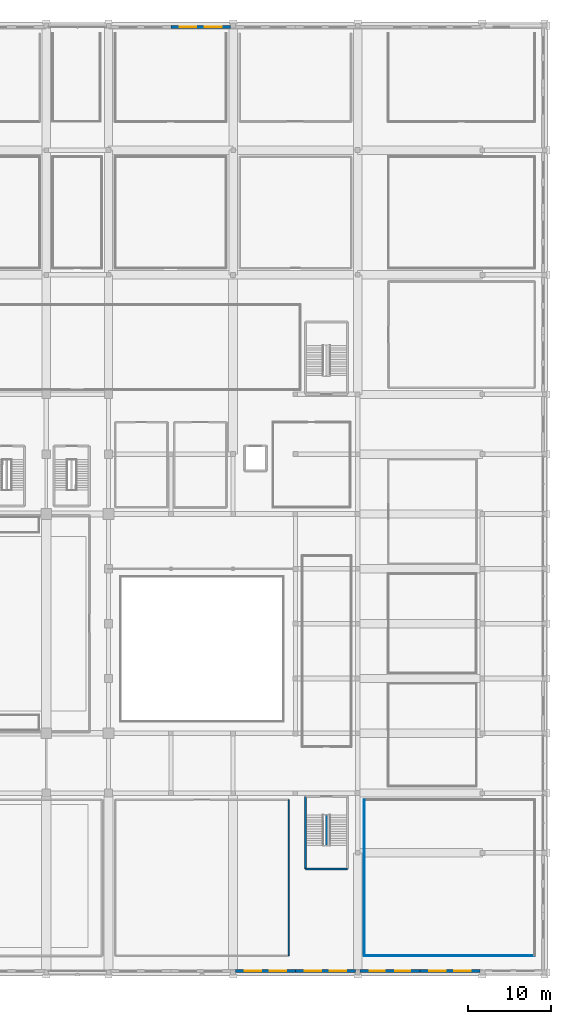
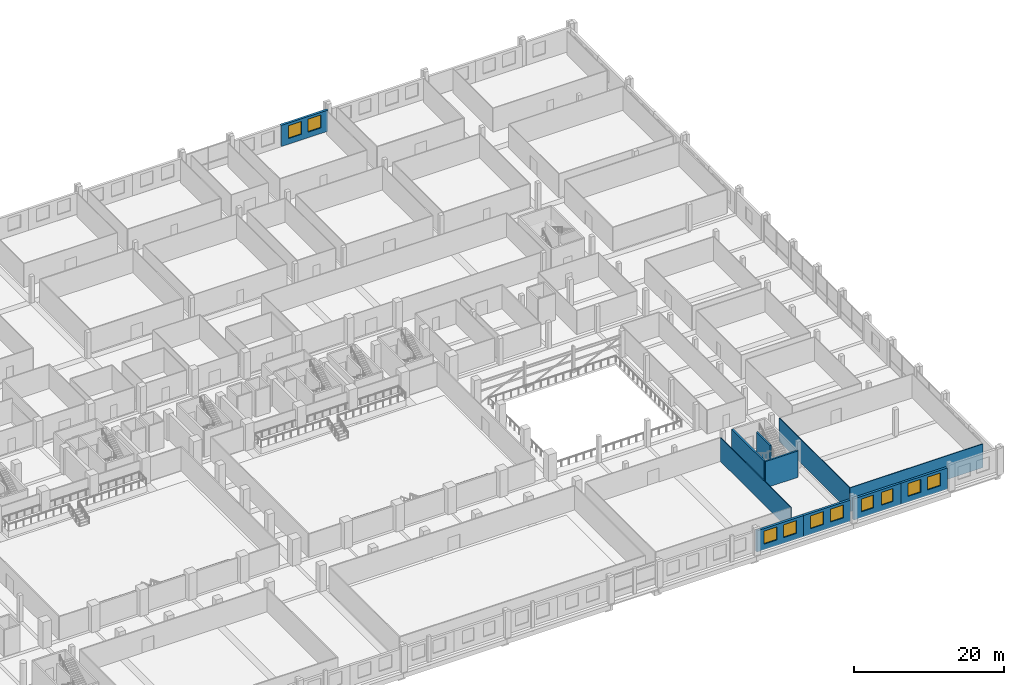
# One storey, part 52 of 68: 11 walls, 10 windows, 10 openings.
"""IFC4 building model written with IfcOpenShell, lengths in metres."""

from ifc_helpers import new_model, si_unit, direction, frame, frame_2d, origin, place, context, subcontext, project, spatial, rectangle, extrude, material, layer, layer_set, type_object, element, fill, save


model = new_model("IFC4")

# Units and contexts
model_context = context("Model", 3, precision=1e-05, world=origin(), true_north=direction((0.0, 1.0)))
body_context = subcontext(model_context, "Body", "Model", "MODEL_VIEW")
ifc_project = project(units=[si_unit("LENGTHUNIT", "METRE"), si_unit("AREAUNIT", "SQUARE_METRE"), si_unit("VOLUMEUNIT", "CUBIC_METRE"), si_unit("PLANEANGLEUNIT", "RADIAN"), si_unit("MASSUNIT", "GRAM", prefix="KILO")], contexts=[model_context])

# Site, building, storey
site_placement = place(None, origin())
site = spatial("IfcSite", under=ifc_project, at=site_placement, CompositionType="ELEMENT")
building_placement = place(site_placement, origin())
building = spatial("IfcBuilding", under=site, at=building_placement, Name="Akrevak Sports Hall", CompositionType="ELEMENT")
storey_placement = place(building_placement, frame((0.0, 0.0, 9.39990234375)))
storey = spatial("IfcBuildingStorey", under=building, at=storey_placement, Name="L02", CompositionType="ELEMENT", Elevation=9.39990234375)

# Wall, openings, windows
ifc_material_1 = material(Name="Limestone Ashlar", Category="stone")
ifc_layer_1 = layer(ifc_material_1, 0.080078125, Name="Limestone Ashlar")
ifc_material_2 = material(Name="Mineral Wool Thermal Insulation", Category="insulation")
ifc_layer_2 = layer(ifc_material_2, 0.10009765625, Name="Mineral Wool Thermal Insulation")
ifc_material_3 = material(Name="Concrete C40/50", Category="concrete")
ifc_layer_3 = layer(ifc_material_3, 0.179931640625, Name="Concrete C40/50")
ifc_layer_set_1 = layer_set([ifc_layer_1, ifc_layer_2, ifc_layer_3], Name="Limestone Ashlar / Mineral Wool Thermal Insulation / Concrete C40/50")
wall_type_1 = type_object("IfcWallType", Name="ARC-WL-EXT-360", PredefinedType="SOLIDWALL", material=ifc_layer_set_1)
wall_1_placement = place(storey_placement, frame((130.800048828125, 0.179931640625, 0.0), z_axis=(0.0, 0.0, 1.0), x_axis=(1.0, 0.0, 0.0)))
wall_1 = element("IfcWall", 1, at=wall_1_placement, inside=storey, type_object=wall_type_1, Name="Exterior Limestone Wall L02-S16", PredefinedType="SOLIDWALL", context=body_context, shape_type="SweptSolid", body=[
    extrude(rectangle(XDim=7.199951171875, YDim=0.360107421875, at=frame_2d((3.60009765625, 0.0))), origin(), (0.0, 0.0, 1.0), 3.4501953125),
])
opening_1_placement = place(wall_1_placement, frame((1.087890625, 0.0, 0.919921875)))
opening_1 = element("IfcOpeningElement", 2, at=opening_1_placement, cuts=wall_1, Name="Opening WN-36", PredefinedType="OPENING", context=body_context, shape_type="SweptSolid", body=[
    extrude(rectangle(XDim=2.0, YDim=2.10009765625, at=frame_2d((1.0, 1.050048828125))), frame((0.0, 0.19189453125, 0.0), z_axis=(0.0, -1.0, 0.0), x_axis=(1.0, 0.0, 0.0)), (0.0, 0.0, 1.0), 0.384033203125),
])
opening_2_placement = place(wall_1_placement, frame((4.112060546875, 0.0, 0.919921875)))
opening_2 = element("IfcOpeningElement", 3, at=opening_2_placement, cuts=wall_1, Name="Opening WN-36", PredefinedType="OPENING", context=body_context, shape_type="SweptSolid", body=[
    extrude(rectangle(XDim=2.0, YDim=2.10009765625, at=frame_2d((1.0, 1.050048828125))), frame((0.0, 0.19189453125, 0.0), z_axis=(0.0, -1.0, 0.0), x_axis=(1.0, 0.0, 0.0)), (0.0, 0.0, 1.0), 0.384033203125),
])
ifc_material_4 = material(Name="Thermally Broken Bronze Frame & Double Low-E Glass", Category="glass")
window_type_1 = type_object("IfcWindowType", Name="ARC-WIN-SZ-2000x2100", PartitioningType="SINGLE_PANEL", PredefinedType="WINDOW", material=ifc_material_4)
window_1_placement = place(opening_1_placement, origin())
window_1 = element("IfcWindow", 4, at=window_1_placement, inside=storey, type_object=window_type_1, Name="Beaux-Arts Facade Window WIN-L02-S16-1", OverallHeight=2.10009765625, OverallWidth=2.0, PartitioningType="SINGLE_PANEL", PredefinedType="WINDOW", context=body_context, shape_type="SweptSolid", body=[
    extrude(rectangle(XDim=2.0, YDim=2.10009765625, at=frame_2d((1.0, 1.050048828125))), frame((0.0, 0.030029296875, 0.0), z_axis=(0.0, -1.0, 0.0), x_axis=(1.0, 0.0, 0.0)), (0.0, 0.0, 1.0), 0.06005859375),
])
fill(opening_1, window_1)
window_2_placement = place(opening_2_placement, origin())
window_2 = element("IfcWindow", 5, at=window_2_placement, inside=storey, type_object=window_type_1, Name="Beaux-Arts Facade Window WIN-L02-S16-2", OverallHeight=2.10009765625, OverallWidth=2.0, PartitioningType="SINGLE_PANEL", PredefinedType="WINDOW", context=body_context, shape_type="SweptSolid", body=[
    extrude(rectangle(XDim=2.0, YDim=2.10009765625, at=frame_2d((1.0, 1.050048828125))), frame((0.0, 0.030029296875, 0.0), z_axis=(0.0, -1.0, 0.0), x_axis=(1.0, 0.0, 0.0)), (0.0, 0.0, 1.0), 0.06005859375),
])
fill(opening_2, window_2)

wall_2_placement = place(storey_placement, frame((138.0, 0.179931640625, 0.0), z_axis=(0.0, 0.0, 1.0), x_axis=(1.0, 0.0, 0.0)))
wall_2 = element("IfcWall", 6, at=wall_2_placement, inside=storey, type_object=wall_type_1, Name="Exterior Limestone Wall L02-S17", PredefinedType="SOLIDWALL", context=body_context, shape_type="SweptSolid", body=[
    extrude(rectangle(XDim=7.22509765625, YDim=0.360107421875, at=frame_2d((3.612548828125, 0.0))), origin(), (0.0, 0.0, 1.0), 3.4501953125),
])
opening_3_placement = place(wall_2_placement, frame((1.09521484375, 0.0, 0.919921875)))
opening_3 = element("IfcOpeningElement", 7, at=opening_3_placement, cuts=wall_2, Name="Opening WN-36", PredefinedType="OPENING", context=body_context, shape_type="SweptSolid", body=[
    extrude(rectangle(XDim=2.0, YDim=2.10009765625, at=frame_2d((1.0, 1.050048828125))), frame((0.0, 0.19189453125, 0.0), z_axis=(0.0, -1.0, 0.0), x_axis=(1.0, 0.0, 0.0)), (0.0, 0.0, 1.0), 0.384033203125),
])
opening_4_placement = place(wall_2_placement, frame((4.1298828125, 0.0, 0.919921875)))
opening_4 = element("IfcOpeningElement", 8, at=opening_4_placement, cuts=wall_2, Name="Opening WN-36", PredefinedType="OPENING", context=body_context, shape_type="SweptSolid", body=[
    extrude(rectangle(XDim=2.0, YDim=2.10009765625, at=frame_2d((1.0, 1.050048828125))), frame((0.0, 0.19189453125, 0.0), z_axis=(0.0, -1.0, 0.0), x_axis=(1.0, 0.0, 0.0)), (0.0, 0.0, 1.0), 0.384033203125),
])
window_3_placement = place(opening_3_placement, origin())
window_3 = element("IfcWindow", 9, at=window_3_placement, inside=storey, type_object=window_type_1, Name="Beaux-Arts Facade Window WIN-L02-S17-1", OverallHeight=2.10009765625, OverallWidth=2.0, PartitioningType="SINGLE_PANEL", PredefinedType="WINDOW", context=body_context, shape_type="SweptSolid", body=[
    extrude(rectangle(XDim=2.0, YDim=2.10009765625, at=frame_2d((1.0, 1.050048828125))), frame((0.0, 0.030029296875, 0.0), z_axis=(0.0, -1.0, 0.0), x_axis=(1.0, 0.0, 0.0)), (0.0, 0.0, 1.0), 0.06005859375),
])
fill(opening_3, window_3)
window_4_placement = place(opening_4_placement, origin())
window_4 = element("IfcWindow", 10, at=window_4_placement, inside=storey, type_object=window_type_1, Name="Beaux-Arts Facade Window WIN-L02-S17-2", OverallHeight=2.10009765625, OverallWidth=2.0, PartitioningType="SINGLE_PANEL", PredefinedType="WINDOW", context=body_context, shape_type="SweptSolid", body=[
    extrude(rectangle(XDim=2.0, YDim=2.10009765625, at=frame_2d((1.0, 1.050048828125))), frame((0.0, 0.030029296875, 0.0), z_axis=(0.0, -1.0, 0.0), x_axis=(1.0, 0.0, 0.0)), (0.0, 0.0, 1.0), 0.06005859375),
])
fill(opening_4, window_4)

wall_3_placement = place(storey_placement, frame((145.77490234375, 0.179931640625, 0.0), z_axis=(0.0, 0.0, 1.0), x_axis=(1.0, 0.0, 0.0)))
wall_3 = element("IfcWall", 11, at=wall_3_placement, inside=storey, type_object=wall_type_1, Name="Exterior Limestone Wall L02-S18", PredefinedType="SOLIDWALL", context=body_context, shape_type="SweptSolid", body=[
    extrude(rectangle(XDim=7.22509765625, YDim=0.360107421875, at=frame_2d((3.612548828125, 0.0))), origin(), (0.0, 0.0, 1.0), 3.4501953125),
])
opening_5_placement = place(wall_3_placement, frame((1.1953125, 0.0, 0.919921875)))
opening_5 = element("IfcOpeningElement", 12, at=opening_5_placement, cuts=wall_3, Name="Opening WN-37", PredefinedType="OPENING", context=body_context, shape_type="SweptSolid", body=[
    extrude(rectangle(XDim=1.800048828125, YDim=2.10009765625, at=frame_2d((0.89990234375, 1.050048828125))), frame((0.0, 0.19189453125, 0.0), z_axis=(0.0, -1.0, 0.0), x_axis=(1.0, 0.0, 0.0)), (0.0, 0.0, 1.0), 0.384033203125),
])
opening_6_placement = place(wall_3_placement, frame((4.229736328125, 0.0, 0.919921875)))
opening_6 = element("IfcOpeningElement", 13, at=opening_6_placement, cuts=wall_3, Name="Opening WN-37", PredefinedType="OPENING", context=body_context, shape_type="SweptSolid", body=[
    extrude(rectangle(XDim=1.800048828125, YDim=2.10009765625, at=frame_2d((0.89990234375, 1.050048828125))), frame((0.0, 0.19189453125, 0.0), z_axis=(0.0, -1.0, 0.0), x_axis=(1.0, 0.0, 0.0)), (0.0, 0.0, 1.0), 0.384033203125),
])
window_type_2 = type_object("IfcWindowType", Name="ARC-WIN-SZ-1800x2100", PartitioningType="SINGLE_PANEL", PredefinedType="WINDOW", material=ifc_material_4)
window_5_placement = place(opening_5_placement, origin())
window_5 = element("IfcWindow", 14, at=window_5_placement, inside=storey, type_object=window_type_2, Name="Beaux-Arts Facade Window WIN-L02-S18-1", OverallHeight=2.10009765625, OverallWidth=1.800048828125, PartitioningType="SINGLE_PANEL", PredefinedType="WINDOW", context=body_context, shape_type="SweptSolid", body=[
    extrude(rectangle(XDim=1.800048828125, YDim=2.10009765625, at=frame_2d((0.89990234375, 1.050048828125))), frame((0.0, 0.030029296875, 0.0), z_axis=(0.0, -1.0, 0.0), x_axis=(1.0, 0.0, 0.0)), (0.0, 0.0, 1.0), 0.06005859375),
])
fill(opening_5, window_5)
window_6_placement = place(opening_6_placement, origin())
window_6 = element("IfcWindow", 15, at=window_6_placement, inside=storey, type_object=window_type_2, Name="Beaux-Arts Facade Window WIN-L02-S18-2", OverallHeight=2.10009765625, OverallWidth=1.800048828125, PartitioningType="SINGLE_PANEL", PredefinedType="WINDOW", context=body_context, shape_type="SweptSolid", body=[
    extrude(rectangle(XDim=1.800048828125, YDim=2.10009765625, at=frame_2d((0.89990234375, 1.050048828125))), frame((0.0, 0.030029296875, 0.0), z_axis=(0.0, -1.0, 0.0), x_axis=(1.0, 0.0, 0.0)), (0.0, 0.0, 1.0), 0.06005859375),
])
fill(opening_6, window_6)

wall_4_placement = place(storey_placement, frame((153.0, 0.179931640625, 0.0), z_axis=(0.0, 0.0, 1.0), x_axis=(1.0, 0.0, 0.0)))
wall_4 = element("IfcWall", 16, at=wall_4_placement, inside=storey, type_object=wall_type_1, Name="Exterior Limestone Wall L02-S19", PredefinedType="SOLIDWALL", context=body_context, shape_type="SweptSolid", body=[
    extrude(rectangle(XDim=7.199951171875, YDim=0.360107421875, at=frame_2d((3.60009765625, 0.0))), origin(), (0.0, 0.0, 1.0), 3.4501953125),
])
opening_7_placement = place(wall_4_placement, frame((1.087890625, 0.0, 0.919921875)))
opening_7 = element("IfcOpeningElement", 17, at=opening_7_placement, cuts=wall_4, Name="Opening WN-36", PredefinedType="OPENING", context=body_context, shape_type="SweptSolid", body=[
    extrude(rectangle(XDim=2.0, YDim=2.10009765625, at=frame_2d((1.0, 1.050048828125))), frame((0.0, 0.19189453125, 0.0), z_axis=(0.0, -1.0, 0.0), x_axis=(1.0, 0.0, 0.0)), (0.0, 0.0, 1.0), 0.384033203125),
])
opening_8_placement = place(wall_4_placement, frame((4.112060546875, 0.0, 0.919921875)))
opening_8 = element("IfcOpeningElement", 18, at=opening_8_placement, cuts=wall_4, Name="Opening WN-36", PredefinedType="OPENING", context=body_context, shape_type="SweptSolid", body=[
    extrude(rectangle(XDim=2.0, YDim=2.10009765625, at=frame_2d((1.0, 1.050048828125))), frame((0.0, 0.19189453125, 0.0), z_axis=(0.0, -1.0, 0.0), x_axis=(1.0, 0.0, 0.0)), (0.0, 0.0, 1.0), 0.384033203125),
])
window_7_placement = place(opening_7_placement, origin())
window_7 = element("IfcWindow", 19, at=window_7_placement, inside=storey, type_object=window_type_1, Name="Beaux-Arts Facade Window WIN-L02-S19-1", OverallHeight=2.10009765625, OverallWidth=2.0, PartitioningType="SINGLE_PANEL", PredefinedType="WINDOW", context=body_context, shape_type="SweptSolid", body=[
    extrude(rectangle(XDim=2.0, YDim=2.10009765625, at=frame_2d((1.0, 1.050048828125))), frame((0.0, 0.030029296875, 0.0), z_axis=(0.0, -1.0, 0.0), x_axis=(1.0, 0.0, 0.0)), (0.0, 0.0, 1.0), 0.06005859375),
])
fill(opening_7, window_7)
window_8_placement = place(opening_8_placement, origin())
window_8 = element("IfcWindow", 20, at=window_8_placement, inside=storey, type_object=window_type_1, Name="Beaux-Arts Facade Window WIN-L02-S19-2", OverallHeight=2.10009765625, OverallWidth=2.0, PartitioningType="SINGLE_PANEL", PredefinedType="WINDOW", context=body_context, shape_type="SweptSolid", body=[
    extrude(rectangle(XDim=2.0, YDim=2.10009765625, at=frame_2d((1.0, 1.050048828125))), frame((0.0, 0.030029296875, 0.0), z_axis=(0.0, -1.0, 0.0), x_axis=(1.0, 0.0, 0.0)), (0.0, 0.0, 1.0), 0.06005859375),
])
fill(opening_8, window_8)

wall_5_placement = place(storey_placement, frame((130.199951171875, 113.820068359375, 0.0), z_axis=(0.0, 0.0, 1.0), x_axis=(-1.0, 0.0, 0.0)))
wall_5 = element("IfcWall", 21, at=wall_5_placement, inside=storey, type_object=wall_type_1, Name="Exterior Limestone Wall L02-N17", PredefinedType="SOLIDWALL", context=body_context, shape_type="SweptSolid", body=[
    extrude(rectangle(XDim=7.199951171875, YDim=0.360107421875, at=frame_2d((3.60009765625, 0.0))), origin(), (0.0, 0.0, 1.0), 3.4501953125),
])
opening_9_placement = place(wall_5_placement, frame((4.112060546875, 0.0, 0.919921875)))
opening_9 = element("IfcOpeningElement", 22, at=opening_9_placement, cuts=wall_5, Name="Opening WN-36", PredefinedType="OPENING", context=body_context, shape_type="SweptSolid", body=[
    extrude(rectangle(XDim=2.0, YDim=2.10009765625, at=frame_2d((1.0, 1.050048828125))), frame((0.0, 0.19189453125, 0.0), z_axis=(0.0, -1.0, 0.0), x_axis=(1.0, 0.0, 0.0)), (0.0, 0.0, 1.0), 0.384033203125),
])
opening_10_placement = place(wall_5_placement, frame((1.087890625, 0.0, 0.919921875)))
opening_10 = element("IfcOpeningElement", 23, at=opening_10_placement, cuts=wall_5, Name="Opening WN-36", PredefinedType="OPENING", context=body_context, shape_type="SweptSolid", body=[
    extrude(rectangle(XDim=2.0, YDim=2.10009765625, at=frame_2d((1.0, 1.050048828125))), frame((0.0, 0.19189453125, 0.0), z_axis=(0.0, -1.0, 0.0), x_axis=(1.0, 0.0, 0.0)), (0.0, 0.0, 1.0), 0.384033203125),
])
window_9_placement = place(opening_9_placement, origin())
window_9 = element("IfcWindow", 24, at=window_9_placement, inside=storey, type_object=window_type_1, Name="Beaux-Arts Facade Window WIN-L02-N17-1", OverallHeight=2.10009765625, OverallWidth=2.0, PartitioningType="SINGLE_PANEL", PredefinedType="WINDOW", context=body_context, shape_type="SweptSolid", body=[
    extrude(rectangle(XDim=2.0, YDim=2.10009765625, at=frame_2d((1.0, 1.050048828125))), frame((0.0, 0.030029296875, 0.0), z_axis=(0.0, -1.0, 0.0), x_axis=(1.0, 0.0, 0.0)), (0.0, 0.0, 1.0), 0.06005859375),
])
fill(opening_9, window_9)
window_10_placement = place(opening_10_placement, origin())
window_10 = element("IfcWindow", 25, at=window_10_placement, inside=storey, type_object=window_type_1, Name="Beaux-Arts Facade Window WIN-L02-N17-2", OverallHeight=2.10009765625, OverallWidth=2.0, PartitioningType="SINGLE_PANEL", PredefinedType="WINDOW", context=body_context, shape_type="SweptSolid", body=[
    extrude(rectangle(XDim=2.0, YDim=2.10009765625, at=frame_2d((1.0, 1.050048828125))), frame((0.0, 0.030029296875, 0.0), z_axis=(0.0, -1.0, 0.0), x_axis=(1.0, 0.0, 0.0)), (0.0, 0.0, 1.0), 0.06005859375),
])
fill(opening_10, window_10)

# Walls
ifc_material_5 = material(Name="Lightweight Office Partition", Category="gypsum")
ifc_layer_4 = layer(ifc_material_5, 0.110107421875, Name="Lightweight Office Partition")
ifc_layer_set_2 = layer_set([ifc_layer_4], Name="Lightweight Office Partition")
wall_type_2 = type_object("IfcWallType", Name="ARC-WL-PRT-110", PredefinedType="PARTITIONING", material=ifc_layer_set_2)
wall_6_placement = place(storey_placement, frame((146.300048828125, 2.0, 0.0), z_axis=(0.0, 0.0, 1.0), x_axis=(1.0, 0.0, 0.0)))
element("IfcWall", 26, at=wall_6_placement, inside=storey, type_object=wall_type_2, Name="Interior Partition South-East Sports Academy Office L02 (S)", PredefinedType="PARTITIONING", context=body_context, shape_type="SweptSolid", body=[
    extrude(rectangle(XDim=20.5, YDim=0.110107421875, at=frame_2d((10.25, 0.0))), origin(), (0.0, 0.0, 1.0), 3.880126953125),
])
wall_7_placement = place(storey_placement, frame((146.300048828125, 2.0, 0.0), z_axis=(0.0, 0.0, 1.0), x_axis=(0.0, 1.0, 0.0)))
element("IfcWall", 27, at=wall_7_placement, inside=storey, type_object=wall_type_2, Name="Interior Partition South-East Sports Academy Office L02 (W)", PredefinedType="PARTITIONING", context=body_context, shape_type="SweptSolid", body=[
    extrude(rectangle(XDim=18.800048828125, YDim=0.110107421875, at=frame_2d((9.39990234375, 0.0))), origin(), (0.0, 0.0, 1.0), 3.880126953125),
])
ifc_material_6 = material(Name="Acoustic Metal Stud Partition", Category="gypsum")
ifc_layer_5 = layer(ifc_material_6, 0.1298828125, Name="Acoustic Metal Stud Partition")
ifc_layer_set_3 = layer_set([ifc_layer_5], Name="Acoustic Metal Stud Partition")
wall_type_3 = type_object("IfcWallType", Name="ARC-WL-PRT-130", PredefinedType="PARTITIONING", material=ifc_layer_set_3)
wall_8_placement = place(storey_placement, frame((137.199951171875, 2.0, 0.0), z_axis=(0.0, 0.0, 1.0), x_axis=(0.0, 1.0, 0.0)))
element("IfcWall", 28, at=wall_8_placement, inside=storey, type_object=wall_type_3, Name="Interior Partition South-East Rhythmic Apparatus Storage L02 (E)", PredefinedType="PARTITIONING", context=body_context, shape_type="SweptSolid", body=[
    extrude(rectangle(XDim=18.800048828125, YDim=0.1298828125, at=frame_2d((9.39990234375, 0.0))), origin(), (0.0, 0.0, 1.0), 3.880126953125),
])
ifc_layer_6 = layer(ifc_material_3, 0.219970703125, Name="Concrete C40/50")
ifc_layer_set_4 = layer_set([ifc_layer_6], Name="Concrete C40/50")
wall_type_4 = type_object("IfcWallType", Name="ARC-WL-PRT-220", PredefinedType="PARTITIONING", material=ifc_layer_set_4)
wall_9_placement = place(storey_placement, frame((141.75, 15.31005859375, 0.0), z_axis=(0.0, 0.0, 1.0), x_axis=(0.0, 1.0, 0.0)))
element("IfcWall", 29, at=wall_9_placement, inside=storey, type_object=wall_type_4, Name="Stair ST7 Central Spine Wall (L02)", PredefinedType="PARTITIONING", context=body_context, shape_type="SweptSolid", body=[
    extrude(rectangle(XDim=3.639892578125, YDim=0.219970703125, at=frame_2d((1.81982421875, 0.0))), origin(), (0.0, 0.0, 1.0), 4.320068359375),
])
ifc_material_7 = material(Name="Concrete C50/60", Category="concrete")
ifc_layer_7 = layer(ifc_material_7, 0.25, Name="Concrete C50/60")
ifc_layer_set_5 = layer_set([ifc_layer_7], Name="Concrete C50/60")
wall_type_5 = type_object("IfcWallType", Name="STR-WL-STAIR-250", PredefinedType="SHEAR", material=ifc_layer_set_5)
wall_10_placement = place(storey_placement, frame((139.22509765625, 12.47509765625, 0.0), z_axis=(0.0, 0.0, 1.0), x_axis=(1.0, 0.0, 0.0)))
element("IfcWall", 30, at=wall_10_placement, inside=storey, type_object=wall_type_5, Name="Stair Core ST7 Shear Wall S (L02)", PredefinedType="SHEAR", context=body_context, shape_type="SweptSolid", body=[
    extrude(rectangle(XDim=5.0498046875, YDim=0.25, at=frame_2d((2.52490234375, 0.0))), origin(), (0.0, 0.0, 1.0), 4.320068359375),
])
wall_11_placement = place(storey_placement, frame((139.22509765625, 21.175048828125, 0.0), z_axis=(0.0, 0.0, 1.0), x_axis=(0.0, -1.0, 0.0)))
element("IfcWall", 31, at=wall_11_placement, inside=storey, type_object=wall_type_5, Name="Stair Core ST7 Shear Wall W (L02)", PredefinedType="SHEAR", context=body_context, shape_type="SweptSolid", body=[
    extrude(rectangle(XDim=8.699951171875, YDim=0.25, at=frame_2d((4.35009765625, 0.0))), origin(), (0.0, 0.0, 1.0), 4.320068359375),
])

save(model, "model.ifc")
